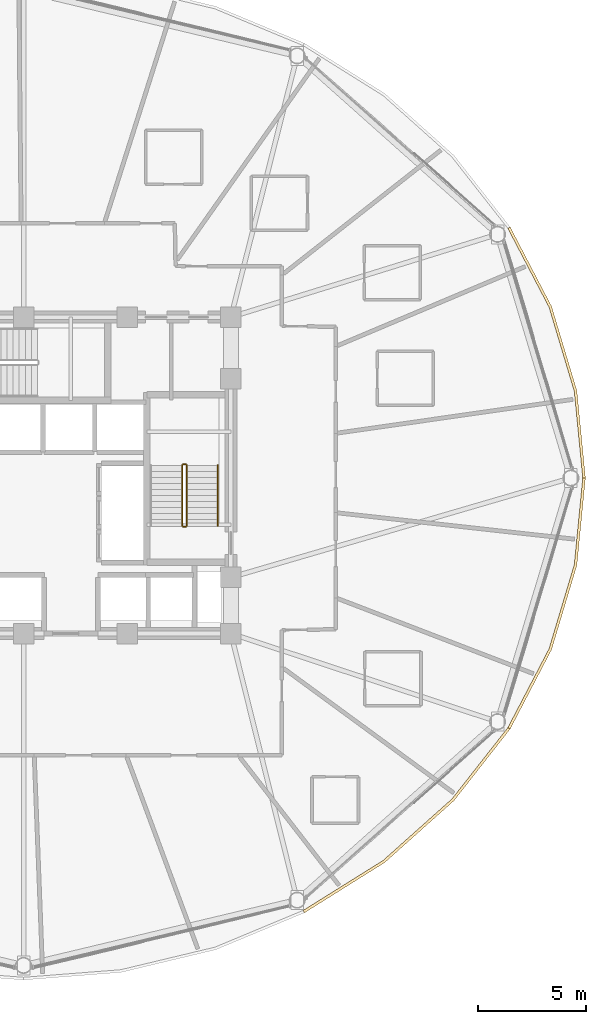
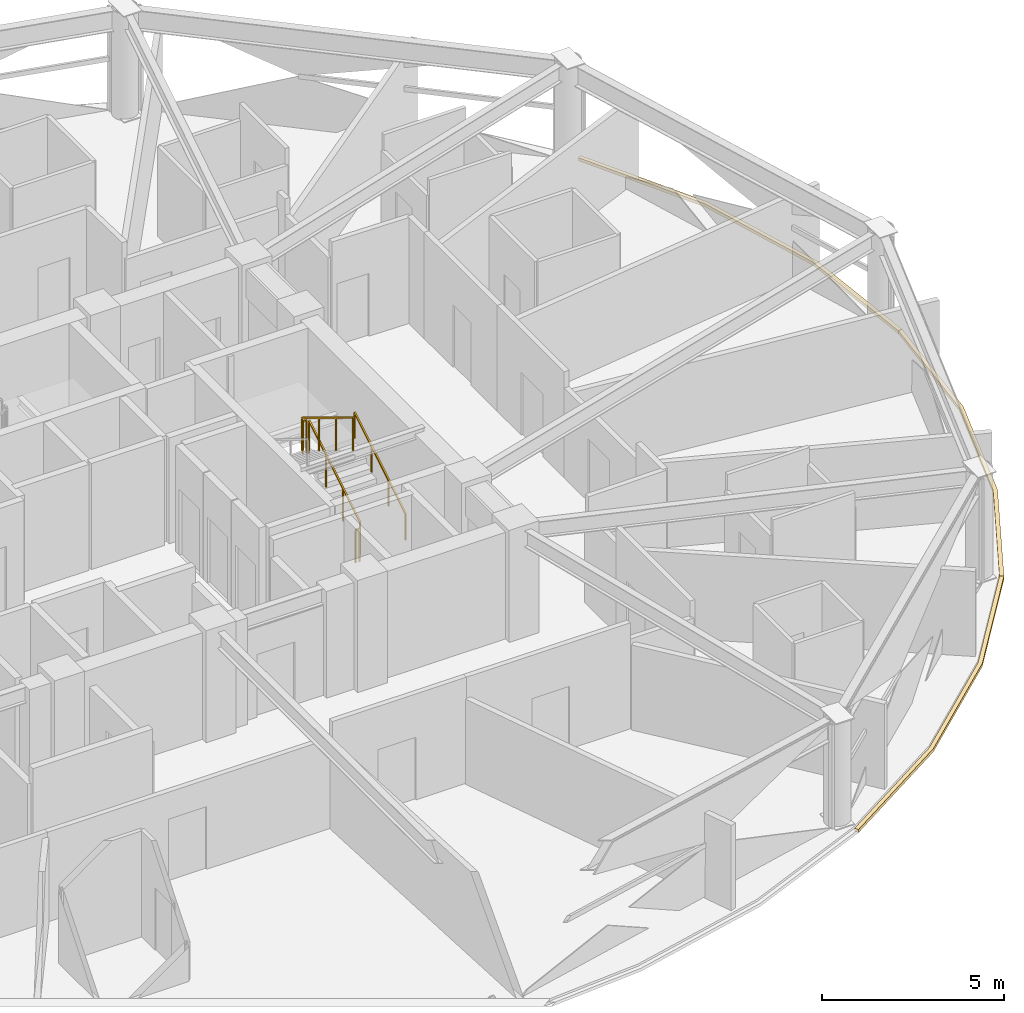
# One storey, part 30 of 31: 5 railings, 3 coverings.
"""IFC4 building model written with IfcOpenShell, lengths in metres."""

import ifcopenshell
import ifcopenshell.guid

model = None  # the IFC model being written
_history = None  # IfcOwnerHistory: only IFC2X3 demands one
_inside = {}  # id of a spatial element -> (the spatial element, [elements in it])
_under = {}  # id of a project, library or spatial element -> (it, [spatial elements below it])
_declared = {}  # id of a project -> (the project, [libraries it declares])
_typed = {}  # id of a type object -> (the type object, [elements of that type])
_made_of = {}  # id of a material, layer set ... -> (it, [elements and type objects made of it])


def new_model(schema):
    """Start an empty IFC model of exactly this schema.

    Asked for "IFC4X3", IfcOpenShell would pick the latest addendum, in which some entities
    have other attributes; the version numbers below select the first issue.
    IFC2X3 requires an IfcOwnerHistory on every rooted entity: one is made here for all.
    """
    global model, _history
    if schema == "IFC4X3":
        model = ifcopenshell.file(schema_version=(4, 3, 0, 0))
    else:
        model = ifcopenshell.file(schema=schema)
    _inside.clear()
    _under.clear()
    _declared.clear()
    _typed.clear()
    _made_of.clear()
    _history = None
    if model.schema == "IFC2X3":
        org = make("IfcOrganization", Name="unknown")
        user = make(
            "IfcPersonAndOrganization",
            ThePerson=make("IfcPerson", FamilyName="unknown"),
            TheOrganization=org,
        )
        app = make(
            "IfcApplication",
            ApplicationDeveloper=org,
            Version="unknown",
            ApplicationFullName="unknown",
            ApplicationIdentifier="unknown",
        )
        _history = make(
            "IfcOwnerHistory",
            OwningUser=user,
            OwningApplication=app,
            ChangeAction="ADDED",
            CreationDate=0,
        )
    return model


def make(cls, **values):
    """One entity of the class cls with the attributes given. An attribute that is None is left unset."""
    return model.create_entity(
        cls, **{name: value for name, value in values.items() if value is not None}
    )


def rooted(cls, **values):
    """An entity with a GlobalId (a new one), such as an element, a storey or a relation."""
    return make(cls, GlobalId=ifcopenshell.guid.new(), OwnerHistory=_history, **values)


def si_unit(unit_type, name, prefix=None):
    """IfcSIUnit, for example si_unit("LENGTHUNIT", "METRE", prefix="MILLI")."""
    return make("IfcSIUnit", UnitType=unit_type, Prefix=prefix, Name=name)


def assignment(units):
    """IfcUnitAssignment: the units of a project."""
    return None if units is None else make("IfcUnitAssignment", Units=units)


def point(xyz):
    """IfcCartesianPoint."""
    return None if xyz is None else make("IfcCartesianPoint", Coordinates=xyz)


def direction(xyz):
    """IfcDirection."""
    return None if xyz is None else make("IfcDirection", DirectionRatios=xyz)


def frame(location, z_axis=None, x_axis=None):
    """IfcAxis2Placement3D, a coordinate frame: its origin and axes. An axis left out is left unset."""
    return make(
        "IfcAxis2Placement3D",
        Location=point(location),
        Axis=direction(z_axis),
        RefDirection=direction(x_axis),
    )


def frame_2d(location, x_axis=None):
    """IfcAxis2Placement2D, a coordinate frame in the plane: its origin and x axis."""
    return make(
        "IfcAxis2Placement2D", Location=point(location), RefDirection=direction(x_axis)
    )


def origin():
    """The frame at (0, 0, 0) with its axes left unset."""
    return frame((0.0, 0.0, 0.0))


def origin_2d():
    """The frame at (0, 0) in the plane with its x axis left unset."""
    return frame_2d((0.0, 0.0))


def place(relative_to, where):
    """IfcLocalPlacement: puts the frame where relative to a parent placement (None: the world)."""
    return make(
        "IfcLocalPlacement", PlacementRelTo=relative_to, RelativePlacement=where
    )


def context(
    kind, dimensions, precision=None, world=None, true_north=None, identifier=None
):
    """IfcGeometricRepresentationContext, for example the 3D "Model" context."""
    return make(
        "IfcGeometricRepresentationContext",
        ContextIdentifier=identifier,
        ContextType=kind,
        CoordinateSpaceDimension=dimensions,
        Precision=precision,
        WorldCoordinateSystem=world,
        TrueNorth=true_north,
    )


def subcontext(parent, identifier, kind, view, scale=None):
    """IfcGeometricRepresentationSubContext, for example "Body" below "Model"."""
    return make(
        "IfcGeometricRepresentationSubContext",
        ContextIdentifier=identifier,
        ContextType=kind,
        ParentContext=parent,
        TargetScale=scale,
        TargetView=view,
    )


def project(units=None, contexts=None):
    """IfcProject with its units and contexts."""
    return rooted(
        "IfcProject",
        Name="project",
        RepresentationContexts=contexts,
        UnitsInContext=assignment(units),
    )


def spatial(cls, under=None, at=None, **own):
    """A site, building, storey or space (cls), placed at a placement, below another one or the project."""
    s = rooted(cls, ObjectPlacement=at, **own)
    if under is not None:
        _under.setdefault(under.id(), (under, []))[1].append(s)
    return s


def polyline(points):
    """IfcPolyline through the points."""
    return make("IfcPolyline", Points=[point(p) for p in points])


def profile(cls, at=None, kind="AREA", **sizes):
    """A parametric profile (cls). Its sizes go by their IFC names, for example OverallWidth=200.0."""
    return make(cls, ProfileType=kind, Position=at, **sizes)


def rectangle(**sizes):
    """IfcRectangleProfileDef."""
    return profile("IfcRectangleProfileDef", **sizes)


def outline(outer, holes=None, kind="AREA"):
    """IfcArbitraryClosedProfileDef: a profile drawn as a closed curve; with holes, ...WithVoids."""
    if holes is None:
        return make("IfcArbitraryClosedProfileDef", ProfileType=kind, OuterCurve=outer)
    return make(
        "IfcArbitraryProfileDefWithVoids",
        ProfileType=kind,
        OuterCurve=outer,
        InnerCurves=holes,
    )


def extrude(swept, where, along, depth):
    """IfcExtrudedAreaSolid: the profile swept, set in the frame where, extruded along a direction by depth."""
    return make(
        "IfcExtrudedAreaSolid",
        SweptArea=swept,
        Position=where,
        ExtrudedDirection=direction(along),
        Depth=depth,
    )


def shape(context_of_items, identifier, shape_type, items):
    """IfcShapeRepresentation: the items that make up one representation, for example the "Body"."""
    return make(
        "IfcShapeRepresentation",
        ContextOfItems=context_of_items,
        RepresentationIdentifier=identifier,
        RepresentationType=shape_type,
        Items=items,
    )


def material(Name=None, Category=None):
    """IfcMaterial."""
    return make("IfcMaterial", Name=Name, Category=Category)


def layer(
    of_material, thickness, ventilated=None, Name=None, Category=None, Priority=None
):
    """IfcMaterialLayer: one layer of a wall or slab, of a material (None: an air gap)."""
    return make(
        "IfcMaterialLayer",
        Material=of_material,
        LayerThickness=thickness,
        IsVentilated=ventilated,
        Name=Name,
        Category=Category,
        Priority=Priority,
    )


def layer_set(layers, Name=None):
    """IfcMaterialLayerSet."""
    return make("IfcMaterialLayerSet", MaterialLayers=layers, LayerSetName=Name)


def made_of(thing, what):
    """Note that an element or type object is made of a material, layer set ...; save() writes the relation."""
    if what is not None:
        _made_of.setdefault(what.id(), (what, []))[1].append(thing)
    return thing


def type_object(cls, material=None, **own):
    """A type object (cls), such as IfcWallType, which elements share."""
    return made_of(rooted(cls, **own), material)


def element(
    cls,
    number,
    at=None,
    inside=None,
    cuts=None,
    type_object=None,
    material=None,
    context=None,
    identifier="Body",
    shape_type=None,
    held_by="IfcProductDefinitionShape",
    body=None,
    shapes=None,
    **own,
):
    """One element of the class cls, such as IfcWall. Its Tag is "e" and its number.

    at: its placement. inside: the storey or other place that contains it. cuts: it is an
    opening in that element (IfcRelVoidsElement). A single representation is given by context,
    identifier, shape_type and body (its items); several are given by shapes. held_by: the class
    of the entity that holds the representations. save() writes the other relations.
    """
    e = rooted(cls, Tag="e%d" % number, ObjectPlacement=at, **own)
    if body is not None:
        shapes = [shape(context, identifier, shape_type, body)]
    if shapes is not None:
        e.Representation = make(held_by, Representations=shapes)
    if inside is not None:
        _inside.setdefault(inside.id(), (inside, []))[1].append(e)
    if cuts is not None:
        rooted(
            "IfcRelVoidsElement", RelatingBuildingElement=cuts, RelatedOpeningElement=e
        )
    if type_object is not None:
        _typed.setdefault(type_object.id(), (type_object, []))[1].append(e)
    return made_of(e, material)


def aggregate(whole, parts):
    """IfcRelAggregates: a whole, such as a stair, and the parts it consists of."""
    return rooted("IfcRelAggregates", RelatingObject=whole, RelatedObjects=parts)


def save(model, path):
    """Write the relations noted so far, then the file.

    IfcRelAggregates (storeys below a building ...), IfcRelContainedInSpatialStructure (elements
    in a storey), IfcRelDefinesByType, IfcRelAssociatesMaterial and IfcRelDeclares: one each for
    every whole, place, type object, material and project.
    """
    for whole, parts in _under.values():
        aggregate(whole, parts)
    for where, things in _inside.values():
        rooted(
            "IfcRelContainedInSpatialStructure",
            RelatedElements=things,
            RelatingStructure=where,
        )
    for kind, things in _typed.values():
        rooted("IfcRelDefinesByType", RelatedObjects=things, RelatingType=kind)
    for what, things in _made_of.values():
        rooted("IfcRelAssociatesMaterial", RelatedObjects=things, RelatingMaterial=what)
    for by, libraries in _declared.values():
        rooted("IfcRelDeclares", RelatingContext=by, RelatedDefinitions=libraries)
    model.write(path)


model = new_model("IFC4")

# Units and contexts
model_context = context("Model", 3, precision=1e-05, world=origin(), true_north=direction((0.0, 1.0)))
body_context = subcontext(model_context, "Body", "Model", "MODEL_VIEW")
ifc_project = project(units=[si_unit("LENGTHUNIT", "METRE"), si_unit("AREAUNIT", "SQUARE_METRE"), si_unit("VOLUMEUNIT", "CUBIC_METRE"), si_unit("PLANEANGLEUNIT", "RADIAN"), si_unit("MASSUNIT", "GRAM", prefix="KILO")], contexts=[model_context])

# Site, building, storey
site_placement = place(None, origin())
site = spatial("IfcSite", under=ifc_project, at=site_placement, CompositionType="ELEMENT")
building_placement = place(site_placement, origin())
building = spatial("IfcBuilding", under=site, at=building_placement, Name="Vantalir Tower", CompositionType="ELEMENT")
storey_placement = place(building_placement, frame((0.0, 0.0, 123.449951171875)))
storey = spatial("IfcBuildingStorey", under=building, at=storey_placement, Name="L30", CompositionType="ELEMENT", Elevation=123.449951171875)

# Coverings
ifc_material_1 = material(Name="Anodised champagne aluminium sill fascia", Category="aluminium")
ifc_layer = layer(ifc_material_1, 0.125)
ifc_layer_set = layer_set([ifc_layer], Name="Anodised champagne aluminium sill fascia")
covering_type = type_object("IfcCoveringType", Name="COV-SLAB-FASCIA-125", PredefinedType="CLADDING", material=ifc_layer_set)
covering_1_placement = place(storey_placement, frame((0.0, 0.0, -0.179931640625)))
element("IfcCovering", 1, at=covering_1_placement, inside=storey, type_object=covering_type, Name="L30 Perimeter Slab-Edge Sill Fascia 01", PredefinedType="CLADDING", context=body_context, shape_type="SweptSolid", body=[
    extrude(outline(polyline([(57.514892578125, 25.0), (57.1201171875, 29.035888671875), (55.946044921875, 32.948974609375), (54.030029296875, 36.6201171875), (53.9208984375, 36.55810546875), (55.8291015625, 32.906005859375), (56.9970703125, 29.013916015625), (57.389892578125, 25.0), (57.514892578125, 25.0)])), origin(), (0.0, 0.0, 1.0), 0.10498046875),
])
covering_2_placement = place(storey_placement, frame((0.0, 0.0, -0.179931640625)))
element("IfcCovering", 2, at=covering_2_placement, inside=storey, type_object=covering_type, Name="L30 Perimeter Slab-Edge Sill Fascia 11", PredefinedType="CLADDING", context=body_context, shape_type="SweptSolid", body=[
    extrude(outline(polyline([(44.508056640625, 4.873046875), (48.221923828125, 7.196044921875), (51.428955078125, 10.06103515625), (54.030029296875, 13.37890625), (53.9208984375, 13.44189453125), (51.3330078125, 10.14111328125), (48.14208984375, 7.2919921875), (44.445068359375, 4.98095703125), (44.508056640625, 4.873046875)])), origin(), (0.0, 0.0, 1.0), 0.10498046875),
])
covering_3_placement = place(storey_placement, frame((0.0, 0.0, -0.179931640625)))
element("IfcCovering", 3, at=covering_3_placement, inside=storey, type_object=covering_type, Name="L30 Perimeter Slab-Edge Sill Fascia 12", PredefinedType="CLADDING", context=body_context, shape_type="SweptSolid", body=[
    extrude(outline(polyline([(54.030029296875, 13.37890625), (55.946044921875, 17.051025390625), (57.1201171875, 20.964111328125), (57.514892578125, 25.0), (57.389892578125, 25.0), (56.9970703125, 20.986083984375), (55.8291015625, 17.093994140625), (53.9208984375, 13.44189453125), (54.030029296875, 13.37890625)])), origin(), (0.0, 0.0, 1.0), 0.10498046875),
])

# Railings
ifc_material_2 = material(Name="Anodised aluminium and stainless steel guard", Category="steel")
railing_type_1 = type_object("IfcRailingType", Name="RAL-GUARD-1120", PredefinedType="GUARDRAIL", material=ifc_material_2)
railing_1_placement = place(storey_placement, frame((39.06005859375, 22.7900390625, 0.17041015625)))
element("IfcRailing", 4, at=railing_1_placement, inside=storey, type_object=railing_type_1, Name="L30 ST2 stair guard 1", PredefinedType="GUARDRAIL", context=body_context, shape_type="SweptSolid", body=[
    extrude(rectangle(XDim=0.048095703125, YDim=0.048095703125, at=origin_2d()), frame((0.0, 0.0, 1.09619140625), z_axis=(0.0, 0.854169791009, 0.51999420009), x_axis=(-1.0, 0.0, 0.0)), (0.0, 0.0, 1.0), 3.278076171875),
    extrude(rectangle(XDim=0.0419921875, YDim=0.0419921875, at=origin_2d()), origin(), (0.0, 0.0, 1.0), 1.072021484375),
    extrude(rectangle(XDim=0.0419921875, YDim=0.0419921875, at=origin_2d()), frame((0.0, 0.933349609375, 0.568115234375)), (0.0, 0.0, 1.0), 1.072021484375),
    extrude(rectangle(XDim=0.0419921875, YDim=0.0419921875, at=origin_2d()), frame((0.0, 1.86669921875, 1.136474609375)), (0.0, 0.0, 1.0), 1.072021484375),
    extrude(rectangle(XDim=0.0419921875, YDim=0.0419921875, at=origin_2d()), frame((0.0, 2.800048828125, 1.70458984375)), (0.0, 0.0, 1.0), 1.072021484375),
])
railing_2_placement = place(storey_placement, frame((39.010009765625, 25.639892578125, 1.875)))
element("IfcRailing", 5, at=railing_2_placement, inside=storey, type_object=railing_type_1, Name="L30 ST2 stair guard 2", PredefinedType="GUARDRAIL", context=body_context, shape_type="SweptSolid", body=[
    extrude(rectangle(XDim=0.048095703125, YDim=0.048095703125, at=origin_2d()), frame((0.0, 0.0, 1.09619140625), z_axis=(-1.0, 0.0, 0.0), x_axis=(0.0, -1.0, 0.0)), (0.0, 0.0, 1.0), 0.1201171875),
    extrude(rectangle(XDim=0.0419921875, YDim=0.0419921875, at=origin_2d()), origin(), (0.0, 0.0, 1.0), 1.072021484375),
    extrude(rectangle(XDim=0.0419921875, YDim=0.0419921875, at=origin_2d()), frame((-0.1201171875, 0.0, 0.0)), (0.0, 0.0, 1.0), 1.072021484375),
])
railing_3_placement = place(storey_placement, frame((38.840087890625, 25.590087890625, 2.04541015625)))
element("IfcRailing", 6, at=railing_3_placement, inside=storey, type_object=railing_type_1, Name="L30 ST2 stair guard 3", PredefinedType="GUARDRAIL", context=body_context, shape_type="SweptSolid", body=[
    extrude(rectangle(XDim=0.048095703125, YDim=0.048095703125, at=origin_2d()), frame((0.0, 0.0, 1.09619140625), z_axis=(0.0, -0.854169791009, 0.51999420009), x_axis=(1.0, 0.0, 0.0)), (0.0, 0.0, 1.0), 3.278076171875),
    extrude(rectangle(XDim=0.0419921875, YDim=0.0419921875, at=origin_2d()), origin(), (0.0, 0.0, 1.0), 1.072021484375),
    extrude(rectangle(XDim=0.0419921875, YDim=0.0419921875, at=origin_2d()), frame((0.0, -0.933349609375, 0.568115234375)), (0.0, 0.0, 1.0), 1.072021484375),
    extrude(rectangle(XDim=0.0419921875, YDim=0.0419921875, at=origin_2d()), frame((0.0, -1.86669921875, 1.136474609375)), (0.0, 0.0, 1.0), 1.072021484375),
    extrude(rectangle(XDim=0.0419921875, YDim=0.0419921875, at=origin_2d()), frame((0.0, -2.800048828125, 1.70458984375)), (0.0, 0.0, 1.0), 1.072021484375),
])
railing_4_placement = place(storey_placement, frame((39.010009765625, 22.739990234375, 0.0)))
element("IfcRailing", 7, at=railing_4_placement, inside=storey, type_object=railing_type_1, Name="L30 ST2 stair guard 4", PredefinedType="GUARDRAIL", context=body_context, shape_type="SweptSolid", body=[
    extrude(rectangle(XDim=0.048095703125, YDim=0.048095703125, at=origin_2d()), frame((0.0, 0.0, 1.09619140625), z_axis=(-1.0, 0.0, 0.0), x_axis=(0.0, -1.0, 0.0)), (0.0, 0.0, 1.0), 0.1201171875),
    extrude(rectangle(XDim=0.0419921875, YDim=0.0419921875, at=origin_2d()), origin(), (0.0, 0.0, 1.0), 1.072021484375),
    extrude(rectangle(XDim=0.0419921875, YDim=0.0419921875, at=origin_2d()), frame((-0.1201171875, 0.0, 0.0)), (0.0, 0.0, 1.0), 1.072021484375),
])
ifc_material_3 = material(Name="Brushed stainless steel tubular handrail", Category="steel")
railing_type_2 = type_object("IfcRailingType", Name="RAL-HANDRAIL-900", PredefinedType="HANDRAIL", material=ifc_material_3)
railing_5_placement = place(storey_placement, frame((40.5, 22.7900390625, 0.17041015625)))
element("IfcRailing", 8, at=railing_5_placement, inside=storey, type_object=railing_type_2, Name="L30 ST2 stair handrail 1", PredefinedType="HANDRAIL", context=body_context, shape_type="SweptSolid", body=[
    extrude(rectangle(XDim=0.048095703125, YDim=0.048095703125, at=origin_2d()), frame((0.0, 0.0, 0.8759765625), z_axis=(0.0, 0.854169791009, 0.51999420009), x_axis=(-1.0, 0.0, 0.0)), (0.0, 0.0, 1.0), 3.278076171875),
    extrude(rectangle(XDim=0.0419921875, YDim=0.0419921875, at=origin_2d()), origin(), (0.0, 0.0, 1.0), 0.851806640625),
    extrude(rectangle(XDim=0.0419921875, YDim=0.0419921875, at=origin_2d()), frame((0.0, 0.933349609375, 0.568115234375)), (0.0, 0.0, 1.0), 0.851806640625),
    extrude(rectangle(XDim=0.0419921875, YDim=0.0419921875, at=origin_2d()), frame((0.0, 1.86669921875, 1.136474609375)), (0.0, 0.0, 1.0), 0.851806640625),
    extrude(rectangle(XDim=0.0419921875, YDim=0.0419921875, at=origin_2d()), frame((0.0, 2.800048828125, 1.70458984375)), (0.0, 0.0, 1.0), 0.851806640625),
])

save(model, "model.ifc")
